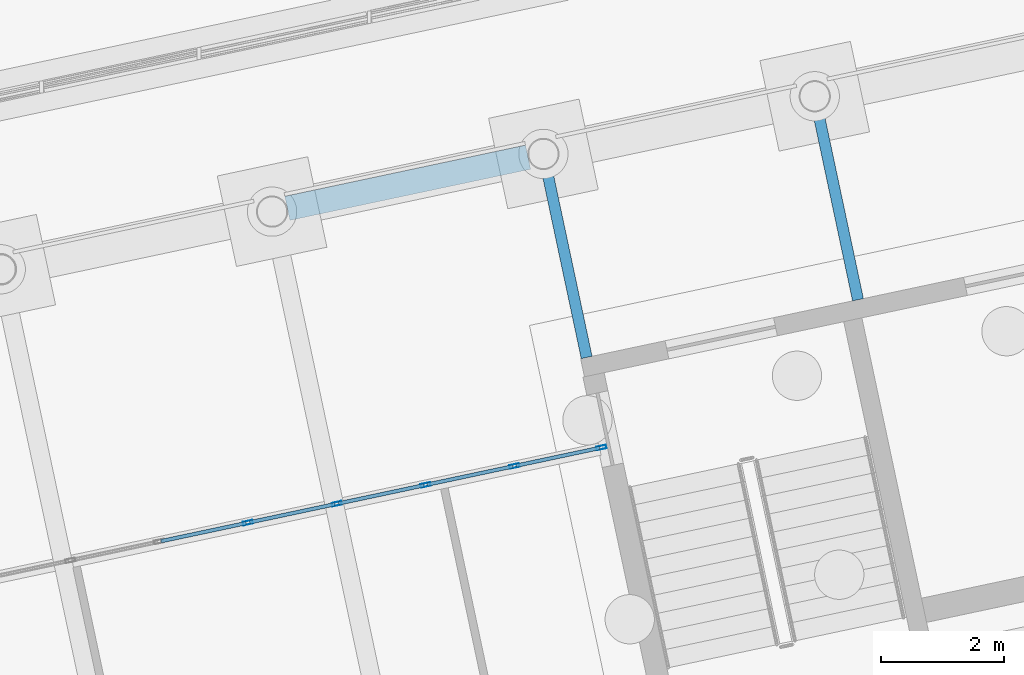
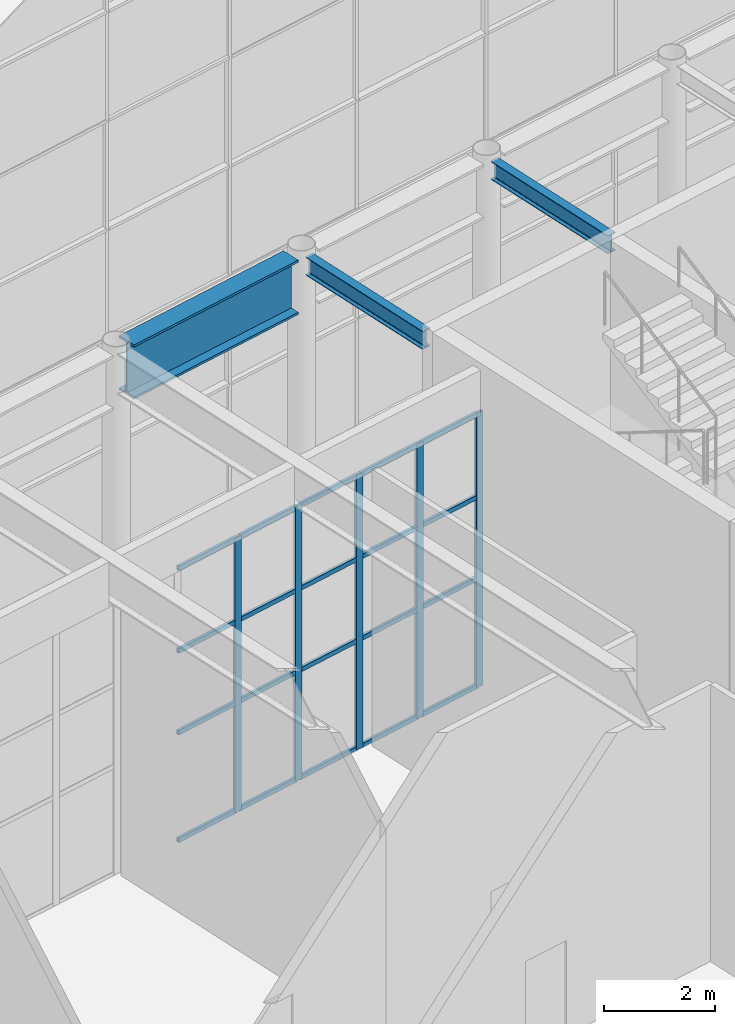
# One storey, part 104 of 239: 25 members, 3 beams, 1 element without a shape of its own.
"""IFC4 building model written with IfcOpenShell, lengths in metres."""

from ifc_helpers import new_model, si_unit, direction, frame, origin, origin_2d, place, context, subcontext, project, spatial, hollow_rectangle, i_section, extrude, material, material_profile, profile_set, type_object, element, aggregate, save


model = new_model("IFC4")

# Units and contexts
model_context = context("Model", 3, precision=1e-05, world=origin(), true_north=direction((0.0, 1.0)))
body_context = subcontext(model_context, "Body", "Model", "MODEL_VIEW")
ifc_project = project(units=[si_unit("LENGTHUNIT", "METRE"), si_unit("AREAUNIT", "SQUARE_METRE"), si_unit("VOLUMEUNIT", "CUBIC_METRE"), si_unit("PLANEANGLEUNIT", "RADIAN"), si_unit("MASSUNIT", "GRAM", prefix="KILO")], contexts=[model_context])

# Site, building, storey
site_placement = place(None, origin())
site = spatial("IfcSite", under=ifc_project, at=site_placement, CompositionType="ELEMENT")
building_placement = place(site_placement, origin())
building = spatial("IfcBuilding", under=site, at=building_placement, Name="Okhra Congress Centre", CompositionType="ELEMENT")
storey_placement = place(building_placement, origin())
storey = spatial("IfcBuildingStorey", under=building, at=storey_placement, Name="L00", CompositionType="ELEMENT", Elevation=0.0)

# Curtain wall, members
ifc_material_1 = material(Name="Aluminium curtain wall, triple glazing", Category="aluminium")
curtain_wall_type = type_object("IfcCurtainWallType", Name="Curtain wall 1500 module", PredefinedType="NOTDEFINED", material=ifc_material_1)
curtain_wall_placement = place(storey_placement, origin())
curtain_wall = element("IfcCurtainWall", 1, at=curtain_wall_placement, inside=storey, type_object=curtain_wall_type, Name="Ground curtain wall N9", PredefinedType="NOTDEFINED")
ifc_material_2 = material(Name="Aluminium alloy EN AW-6063 T66", Category="aluminium")
ifc_material_profile_1 = material_profile(ifc_material_2, hollow_rectangle(XDim=0.06005859375, YDim=0.159912109375, WallThickness=0.00390625, at=origin_2d()), Name="RHS 60x160x4")
ifc_profile_set_1 = profile_set([ifc_material_profile_1], Name="Aluminium alloy EN AW-6063 T66")
member_type_1 = type_object("IfcMemberType", Name="Curtain wall mullion 60x160", PredefinedType="MULLION", material=ifc_profile_set_1)
member_1_placement = place(storey_placement, frame((161.269775390625, 67.692626953125, 0.0), z_axis=(0.0, 0.0, 1.0), x_axis=(-0.207911690818, 0.978147600734, 0.0)))
member_1 = element("IfcMember", 2, at=member_1_placement, type_object=member_type_1, Name="CW7 mullion 17", PredefinedType="MULLION", context=body_context, shape_type="SweptSolid", body=[
    extrude(hollow_rectangle(XDim=0.06005859375, YDim=0.159912109375, WallThickness=0.00390625, at=origin_2d()), origin(), (0.0, 0.0, 1.0), 6.050048828125),
])
member_2_placement = place(storey_placement, frame((162.71044921875, 67.998779296875, 0.0), z_axis=(0.0, 0.0, 1.0), x_axis=(-0.207911690818, 0.978147600734, 0.0)))
member_2 = element("IfcMember", 3, at=member_2_placement, type_object=member_type_1, Name="CW7 mullion 18", PredefinedType="MULLION", context=body_context, shape_type="SweptSolid", body=[
    extrude(hollow_rectangle(XDim=0.06005859375, YDim=0.159912109375, WallThickness=0.00390625, at=origin_2d()), origin(), (0.0, 0.0, 1.0), 6.050048828125),
])
member_3_placement = place(storey_placement, frame((164.1513671875, 68.30517578125, 0.0), z_axis=(0.0, 0.0, 1.0), x_axis=(-0.207911690818, 0.978147600734, 0.0)))
member_3 = element("IfcMember", 4, at=member_3_placement, type_object=member_type_1, Name="CW7 mullion 19", PredefinedType="MULLION", context=body_context, shape_type="SweptSolid", body=[
    extrude(hollow_rectangle(XDim=0.06005859375, YDim=0.159912109375, WallThickness=0.00390625, at=origin_2d()), origin(), (0.0, 0.0, 1.0), 6.050048828125),
])
member_4_placement = place(storey_placement, frame((165.59228515625, 68.611328125, 0.0), z_axis=(0.0, 0.0, 1.0), x_axis=(-0.207911690818, 0.978147600734, 0.0)))
member_4 = element("IfcMember", 5, at=member_4_placement, type_object=member_type_1, Name="CW7 mullion 20", PredefinedType="MULLION", context=body_context, shape_type="SweptSolid", body=[
    extrude(hollow_rectangle(XDim=0.06005859375, YDim=0.159912109375, WallThickness=0.00390625, at=origin_2d()), origin(), (0.0, 0.0, 1.0), 6.050048828125),
])
member_5_placement = place(storey_placement, frame((167.003662109375, 68.911376953125, 0.0), z_axis=(0.0, 0.0, 1.0), x_axis=(-0.207911690818, 0.978147600734, 0.0)))
member_5 = element("IfcMember", 6, at=member_5_placement, type_object=member_type_1, Name="CW7 mullion 21", PredefinedType="MULLION", context=body_context, shape_type="SweptSolid", body=[
    extrude(hollow_rectangle(XDim=0.06005859375, YDim=0.159912109375, WallThickness=0.00390625, at=origin_2d()), origin(), (0.0, 0.0, 1.0), 6.050048828125),
])
ifc_material_profile_2 = material_profile(ifc_material_2, hollow_rectangle(XDim=0.06005859375, YDim=0.10009765625, WallThickness=0.00390625, at=origin_2d()), Name="RHS 60x100x4")
ifc_profile_set_2 = profile_set([ifc_material_profile_2], Name="Aluminium alloy EN AW-6063 T66")
member_type_2 = type_object("IfcMemberType", Name="Curtain wall transom 60x100", PredefinedType="USERDEFINED", material=ifc_profile_set_2)
member_6_placement = place(storey_placement, frame((159.8583984375, 67.392578125, 0.030029296875), z_axis=(0.978157533477, 0.207864955445, 0.0), x_axis=(-0.207864955445, 0.978157533477, 0.0)))
member_6 = element("IfcMember", 7, at=member_6_placement, type_object=member_type_2, Name="CW7 transom 16.1", ObjectType="TRANSOM", PredefinedType="USERDEFINED", context=body_context, shape_type="SweptSolid", body=[
    extrude(hollow_rectangle(XDim=0.06005859375, YDim=0.10009765625, WallThickness=0.00390625, at=origin_2d()), origin(), (0.0, 0.0, 1.0), 1.412841796875),
])
member_7_placement = place(storey_placement, frame((159.8583984375, 67.392578125, 2.39990234375), z_axis=(0.978157533477, 0.207864955445, 0.0), x_axis=(-0.207864955445, 0.978157533477, 0.0)))
member_7 = element("IfcMember", 8, at=member_7_placement, type_object=member_type_2, Name="CW7 transom 16.2", ObjectType="TRANSOM", PredefinedType="USERDEFINED", context=body_context, shape_type="SweptSolid", body=[
    extrude(hollow_rectangle(XDim=0.06005859375, YDim=0.10009765625, WallThickness=0.00390625, at=origin_2d()), origin(), (0.0, 0.0, 1.0), 1.412841796875),
])
member_8_placement = place(storey_placement, frame((159.8583984375, 67.392578125, 4.199951171875), z_axis=(0.978157533477, 0.207864955445, 0.0), x_axis=(-0.207864955445, 0.978157533477, 0.0)))
member_8 = element("IfcMember", 9, at=member_8_placement, type_object=member_type_2, Name="CW7 transom 16.3", ObjectType="TRANSOM", PredefinedType="USERDEFINED", context=body_context, shape_type="SweptSolid", body=[
    extrude(hollow_rectangle(XDim=0.06005859375, YDim=0.10009765625, WallThickness=0.00390625, at=origin_2d()), origin(), (0.0, 0.0, 1.0), 1.412841796875),
])
member_9_placement = place(storey_placement, frame((159.8583984375, 67.392578125, 6.02001953125), z_axis=(0.978157533477, 0.207864955445, 0.0), x_axis=(-0.207864955445, 0.978157533477, 0.0)))
member_9 = element("IfcMember", 10, at=member_9_placement, type_object=member_type_2, Name="CW7 transom 16.4", ObjectType="TRANSOM", PredefinedType="USERDEFINED", context=body_context, shape_type="SweptSolid", body=[
    extrude(hollow_rectangle(XDim=0.06005859375, YDim=0.10009765625, WallThickness=0.00390625, at=origin_2d()), origin(), (0.0, 0.0, 1.0), 1.412841796875),
])
member_10_placement = place(storey_placement, frame((161.299072265625, 67.69873046875, 0.030029296875), z_axis=(0.978122388538, 0.208030269528, 0.0), x_axis=(-0.208030269528, 0.978122388538, 0.0)))
member_10 = element("IfcMember", 11, at=member_10_placement, type_object=member_type_2, Name="CW7 transom 17.1", ObjectType="TRANSOM", PredefinedType="USERDEFINED", context=body_context, shape_type="SweptSolid", body=[
    extrude(hollow_rectangle(XDim=0.06005859375, YDim=0.10009765625, WallThickness=0.00390625, at=origin_2d()), origin(), (0.0, 0.0, 1.0), 1.4130859375),
])
member_11_placement = place(storey_placement, frame((161.299072265625, 67.69873046875, 2.39990234375), z_axis=(0.978122388538, 0.208030269528, 0.0), x_axis=(-0.208030269528, 0.978122388538, 0.0)))
member_11 = element("IfcMember", 12, at=member_11_placement, type_object=member_type_2, Name="CW7 transom 17.2", ObjectType="TRANSOM", PredefinedType="USERDEFINED", context=body_context, shape_type="SweptSolid", body=[
    extrude(hollow_rectangle(XDim=0.06005859375, YDim=0.10009765625, WallThickness=0.00390625, at=origin_2d()), origin(), (0.0, 0.0, 1.0), 1.4130859375),
])
member_12_placement = place(storey_placement, frame((161.299072265625, 67.69873046875, 4.199951171875), z_axis=(0.978122388538, 0.208030269528, 0.0), x_axis=(-0.208030269528, 0.978122388538, 0.0)))
member_12 = element("IfcMember", 13, at=member_12_placement, type_object=member_type_2, Name="CW7 transom 17.3", ObjectType="TRANSOM", PredefinedType="USERDEFINED", context=body_context, shape_type="SweptSolid", body=[
    extrude(hollow_rectangle(XDim=0.06005859375, YDim=0.10009765625, WallThickness=0.00390625, at=origin_2d()), origin(), (0.0, 0.0, 1.0), 1.4130859375),
])
member_13_placement = place(storey_placement, frame((161.299072265625, 67.69873046875, 6.02001953125), z_axis=(0.978122388538, 0.208030269528, 0.0), x_axis=(-0.208030269528, 0.978122388538, 0.0)))
member_13 = element("IfcMember", 14, at=member_13_placement, type_object=member_type_2, Name="CW7 transom 17.4", ObjectType="TRANSOM", PredefinedType="USERDEFINED", context=body_context, shape_type="SweptSolid", body=[
    extrude(hollow_rectangle(XDim=0.06005859375, YDim=0.10009765625, WallThickness=0.00390625, at=origin_2d()), origin(), (0.0, 0.0, 1.0), 1.4130859375),
])
member_14_placement = place(storey_placement, frame((162.739990234375, 68.005126953125, 0.030029296875), z_axis=(0.978157533477, 0.207864955445, 0.0), x_axis=(-0.207864955445, 0.978157533477, 0.0)))
member_14 = element("IfcMember", 15, at=member_14_placement, type_object=member_type_2, Name="CW7 transom 18.1", ObjectType="TRANSOM", PredefinedType="USERDEFINED", context=body_context, shape_type="SweptSolid", body=[
    extrude(hollow_rectangle(XDim=0.06005859375, YDim=0.10009765625, WallThickness=0.00390625, at=origin_2d()), origin(), (0.0, 0.0, 1.0), 1.412841796875),
])
member_15_placement = place(storey_placement, frame((162.739990234375, 68.005126953125, 2.39990234375), z_axis=(0.978157533477, 0.207864955445, 0.0), x_axis=(-0.207864955445, 0.978157533477, 0.0)))
member_15 = element("IfcMember", 16, at=member_15_placement, type_object=member_type_2, Name="CW7 transom 18.2", ObjectType="TRANSOM", PredefinedType="USERDEFINED", context=body_context, shape_type="SweptSolid", body=[
    extrude(hollow_rectangle(XDim=0.06005859375, YDim=0.10009765625, WallThickness=0.00390625, at=origin_2d()), origin(), (0.0, 0.0, 1.0), 1.412841796875),
])
member_16_placement = place(storey_placement, frame((162.739990234375, 68.005126953125, 4.199951171875), z_axis=(0.978157533477, 0.207864955445, 0.0), x_axis=(-0.207864955445, 0.978157533477, 0.0)))
member_16 = element("IfcMember", 17, at=member_16_placement, type_object=member_type_2, Name="CW7 transom 18.3", ObjectType="TRANSOM", PredefinedType="USERDEFINED", context=body_context, shape_type="SweptSolid", body=[
    extrude(hollow_rectangle(XDim=0.06005859375, YDim=0.10009765625, WallThickness=0.00390625, at=origin_2d()), origin(), (0.0, 0.0, 1.0), 1.412841796875),
])
member_17_placement = place(storey_placement, frame((162.739990234375, 68.005126953125, 6.02001953125), z_axis=(0.978157533477, 0.207864955445, 0.0), x_axis=(-0.207864955445, 0.978157533477, 0.0)))
member_17 = element("IfcMember", 18, at=member_17_placement, type_object=member_type_2, Name="CW7 transom 18.4", ObjectType="TRANSOM", PredefinedType="USERDEFINED", context=body_context, shape_type="SweptSolid", body=[
    extrude(hollow_rectangle(XDim=0.06005859375, YDim=0.10009765625, WallThickness=0.00390625, at=origin_2d()), origin(), (0.0, 0.0, 1.0), 1.412841796875),
])
member_18_placement = place(storey_placement, frame((164.1806640625, 68.311279296875, 0.030029296875), z_axis=(0.978122388538, 0.208030269528, 0.0), x_axis=(-0.208030269528, 0.978122388538, 0.0)))
member_18 = element("IfcMember", 19, at=member_18_placement, type_object=member_type_2, Name="CW7 transom 19.1", ObjectType="TRANSOM", PredefinedType="USERDEFINED", context=body_context, shape_type="SweptSolid", body=[
    extrude(hollow_rectangle(XDim=0.06005859375, YDim=0.10009765625, WallThickness=0.00390625, at=origin_2d()), origin(), (0.0, 0.0, 1.0), 1.4130859375),
])
member_19_placement = place(storey_placement, frame((164.1806640625, 68.311279296875, 2.39990234375), z_axis=(0.978122388538, 0.208030269528, 0.0), x_axis=(-0.208030269528, 0.978122388538, 0.0)))
member_19 = element("IfcMember", 20, at=member_19_placement, type_object=member_type_2, Name="CW7 transom 19.2", ObjectType="TRANSOM", PredefinedType="USERDEFINED", context=body_context, shape_type="SweptSolid", body=[
    extrude(hollow_rectangle(XDim=0.06005859375, YDim=0.10009765625, WallThickness=0.00390625, at=origin_2d()), origin(), (0.0, 0.0, 1.0), 1.4130859375),
])
member_20_placement = place(storey_placement, frame((164.1806640625, 68.311279296875, 4.199951171875), z_axis=(0.978122388538, 0.208030269528, 0.0), x_axis=(-0.208030269528, 0.978122388538, 0.0)))
member_20 = element("IfcMember", 21, at=member_20_placement, type_object=member_type_2, Name="CW7 transom 19.3", ObjectType="TRANSOM", PredefinedType="USERDEFINED", context=body_context, shape_type="SweptSolid", body=[
    extrude(hollow_rectangle(XDim=0.06005859375, YDim=0.10009765625, WallThickness=0.00390625, at=origin_2d()), origin(), (0.0, 0.0, 1.0), 1.4130859375),
])
member_21_placement = place(storey_placement, frame((164.1806640625, 68.311279296875, 6.02001953125), z_axis=(0.978122388538, 0.208030269528, 0.0), x_axis=(-0.208030269528, 0.978122388538, 0.0)))
member_21 = element("IfcMember", 22, at=member_21_placement, type_object=member_type_2, Name="CW7 transom 19.4", ObjectType="TRANSOM", PredefinedType="USERDEFINED", context=body_context, shape_type="SweptSolid", body=[
    extrude(hollow_rectangle(XDim=0.06005859375, YDim=0.10009765625, WallThickness=0.00390625, at=origin_2d()), origin(), (0.0, 0.0, 1.0), 1.4130859375),
])
member_22_placement = place(storey_placement, frame((165.62158203125, 68.61767578125, 0.030029296875), z_axis=(0.978175448179, 0.207780635717, 0.0), x_axis=(-0.207780635717, 0.978175448179, 0.0)))
member_22 = element("IfcMember", 23, at=member_22_placement, type_object=member_type_2, Name="CW7 transom 20.1", ObjectType="TRANSOM", PredefinedType="USERDEFINED", context=body_context, shape_type="SweptSolid", body=[
    extrude(hollow_rectangle(XDim=0.06005859375, YDim=0.10009765625, WallThickness=0.00390625, at=origin_2d()), origin(), (0.0, 0.0, 1.0), 1.383056640625),
])
member_23_placement = place(storey_placement, frame((165.62158203125, 68.61767578125, 2.39990234375), z_axis=(0.978175448179, 0.207780635717, 0.0), x_axis=(-0.207780635717, 0.978175448179, 0.0)))
member_23 = element("IfcMember", 24, at=member_23_placement, type_object=member_type_2, Name="CW7 transom 20.2", ObjectType="TRANSOM", PredefinedType="USERDEFINED", context=body_context, shape_type="SweptSolid", body=[
    extrude(hollow_rectangle(XDim=0.06005859375, YDim=0.10009765625, WallThickness=0.00390625, at=origin_2d()), origin(), (0.0, 0.0, 1.0), 1.383056640625),
])
member_24_placement = place(storey_placement, frame((165.62158203125, 68.61767578125, 4.199951171875), z_axis=(0.978175448179, 0.207780635717, 0.0), x_axis=(-0.207780635717, 0.978175448179, 0.0)))
member_24 = element("IfcMember", 25, at=member_24_placement, type_object=member_type_2, Name="CW7 transom 20.3", ObjectType="TRANSOM", PredefinedType="USERDEFINED", context=body_context, shape_type="SweptSolid", body=[
    extrude(hollow_rectangle(XDim=0.06005859375, YDim=0.10009765625, WallThickness=0.00390625, at=origin_2d()), origin(), (0.0, 0.0, 1.0), 1.383056640625),
])
member_25_placement = place(storey_placement, frame((165.62158203125, 68.61767578125, 6.02001953125), z_axis=(0.978175448179, 0.207780635717, 0.0), x_axis=(-0.207780635717, 0.978175448179, 0.0)))
member_25 = element("IfcMember", 26, at=member_25_placement, type_object=member_type_2, Name="CW7 transom 20.4", ObjectType="TRANSOM", PredefinedType="USERDEFINED", context=body_context, shape_type="SweptSolid", body=[
    extrude(hollow_rectangle(XDim=0.06005859375, YDim=0.10009765625, WallThickness=0.00390625, at=origin_2d()), origin(), (0.0, 0.0, 1.0), 1.383056640625),
])
aggregate(curtain_wall, [member_1, member_2, member_3, member_4, member_5, member_6, member_7, member_8, member_9, member_10, member_11, member_12, member_13, member_14, member_15, member_16, member_17, member_18, member_19, member_20, member_21, member_22, member_23, member_24, member_25])

# Beams
ifc_material_3 = material(Name="Steel S355J2", Category="steel")
ifc_material_profile_3 = material_profile(ifc_material_3, i_section(OverallWidth=0.179931640625, OverallDepth=0.39990234375, WebThickness=0.008544921875, FlangeThickness=0.013427734375, FilletRadius=0.02099609375, at=origin_2d()), Name="IPE 400")
ifc_profile_set_3 = profile_set([ifc_material_profile_3], Name="Steel S355J2")
beam_type_1 = type_object("IfcBeamType", Name="Floor beam stub IPE 400", PredefinedType="BEAM", material=ifc_profile_set_3)
for number, where, z_axis, x_axis, name in (
    (27, (166.764404296875, 70.37353515625, 6.85009765625), (-0.207916691923, 0.978146537703, 0.0), (-0.978146537703, -0.207916691923, 0.0), "Floor beam 25.2"),
    (28, (171.166015625, 71.30908203125, 6.85009765625), (-0.207916691923, 0.978146537703, 0.0), (-0.978146537703, -0.207916691923, 0.0), "Floor beam 26.2"),
):
    element("IfcBeam", number, at=place(storey_placement, frame(where, z_axis=z_axis, x_axis=x_axis)), inside=storey, type_object=beam_type_1, Name=name, PredefinedType="BEAM", context=body_context, shape_type="SweptSolid", body=[
        extrude(i_section(OverallWidth=0.179931640625, OverallDepth=0.39990234375, WebThickness=0.008544921875, FlangeThickness=0.013427734375, FilletRadius=0.02099609375, at=origin_2d()), origin(), (0.0, 0.0, 1.0), 3.175048828125),
    ])
ifc_material_profile_4 = material_profile(ifc_material_3, i_section(OverallWidth=0.39990234375, OverallDepth=1.199951171875, WebThickness=0.02490234375, FlangeThickness=0.050048828125, at=origin_2d()), Name="Plate girder 1200x400")
ifc_profile_set_4 = profile_set([ifc_material_profile_4], Name="Steel S355J2")
beam_type_2 = type_object("IfcBeamType", Name="Perimeter plate girder 1200x400", PredefinedType="BEAM", material=ifc_profile_set_4)
beam_placement = place(storey_placement, frame((161.909423828125, 72.7919921875, 6.449951171875), z_axis=(0.978142994281, 0.207933361295, 0.0), x_axis=(-0.207933361295, 0.978142994281, 0.0)))
element("IfcBeam", 29, at=beam_placement, inside=storey, type_object=beam_type_2, Name="Perimeter girder N22", PredefinedType="BEAM", context=body_context, shape_type="SweptSolid", body=[
    extrude(i_section(OverallWidth=0.39990234375, OverallDepth=1.199951171875, WebThickness=0.02490234375, FlangeThickness=0.050048828125, at=origin_2d()), origin(), (0.0, 0.0, 1.0), 3.991943359375),
])

save(model, "model.ifc")
